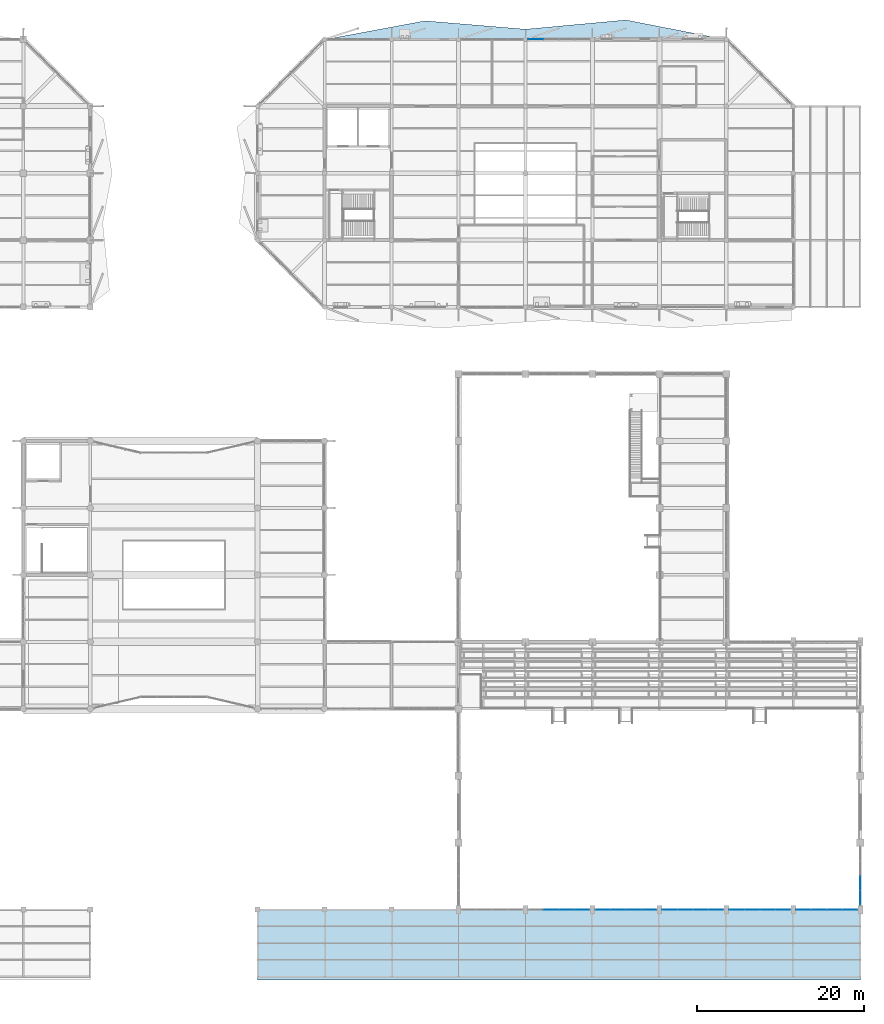
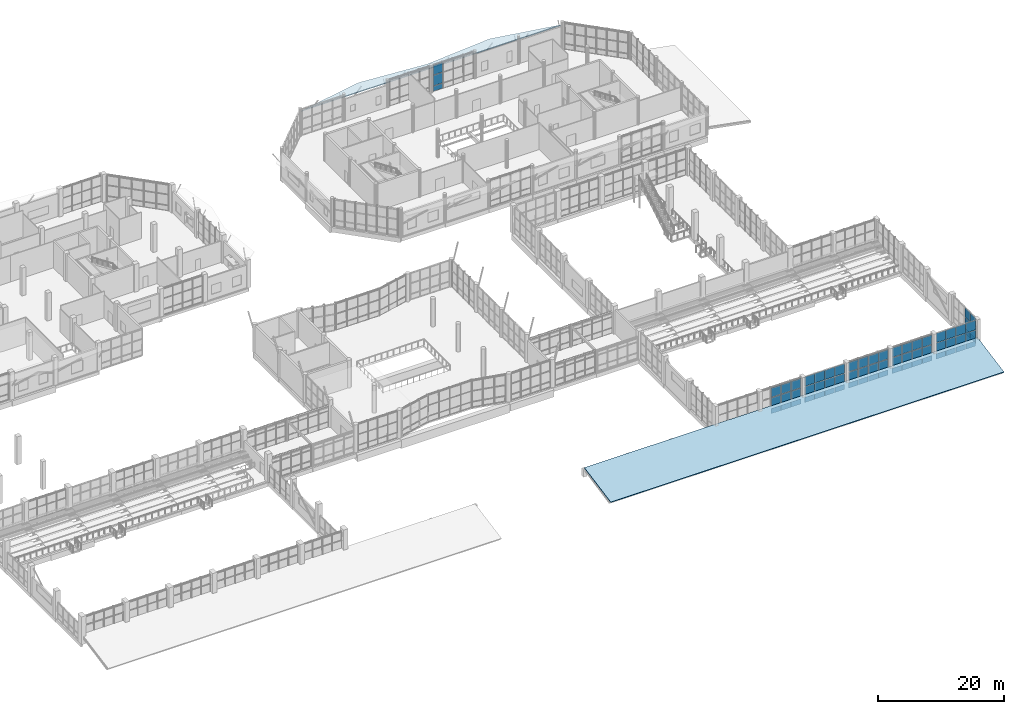
# One storey, part 92 of 122: 66 plates, 2 slabs, 7 elements without a shape of their own.
"""IFC4 building model written with IfcOpenShell, lengths in metres."""

from ifc_helpers import new_model, si_unit, direction, frame, origin, origin_2d, place, context, subcontext, project, spatial, polyline, rectangle, outline, extrude, material, layer, layer_set, type_object, element, aggregate, save


model = new_model("IFC4")

# Units and contexts
model_context = context("Model", 3, precision=1e-05, world=origin(), true_north=direction((0.0, 1.0)))
body_context = subcontext(model_context, "Body", "Model", "MODEL_VIEW")
ifc_project = project(units=[si_unit("LENGTHUNIT", "METRE"), si_unit("AREAUNIT", "SQUARE_METRE"), si_unit("VOLUMEUNIT", "CUBIC_METRE"), si_unit("PLANEANGLEUNIT", "RADIAN"), si_unit("MASSUNIT", "GRAM", prefix="KILO")], contexts=[model_context])

# Site, building, storey
site_placement = place(None, origin())
site = spatial("IfcSite", under=ifc_project, at=site_placement, CompositionType="ELEMENT")
building_placement = place(site_placement, origin())
building = spatial("IfcBuilding", under=site, at=building_placement, Name="Tenunan Teduh Sports Hall", CompositionType="ELEMENT")
storey_placement = place(building_placement, frame((0.0, 0.0, 5.39990234375)))
storey = spatial("IfcBuildingStorey", under=building, at=storey_placement, Name="L01", CompositionType="ELEMENT", Elevation=5.39990234375)

# Curtain wall, plates
ifc_material_1 = material(Name="Anodised aluminium", Category="aluminium")
curtain_wall_type = type_object("IfcCurtainWallType", Name="CW-UNIT-1", PredefinedType="NOTDEFINED", material=ifc_material_1)
curtain_wall_1_placement = place(storey_placement, origin())
curtain_wall_1 = element("IfcCurtainWall", 1, at=curtain_wall_1_placement, inside=storey, type_object=curtain_wall_type, Name="CW-CWM-200-L01-008", PredefinedType="NOTDEFINED")
ifc_material_2 = material(Name="Low-E laminated double glazing", Category="glass")
ifc_layer_1 = layer(ifc_material_2, 0.028076171875)
ifc_layer_set_1 = layer_set([ifc_layer_1], Name="Low-E laminated double glazing")
plate_type_1 = type_object("IfcPlateType", Name="CWP-GLZ-28", PredefinedType="CURTAIN_PANEL", material=ifc_layer_set_1)
plate_1_placement = place(storey_placement, frame((133.074951171875, 14.0, 1.13525390625), z_axis=(0.0, 0.0, 1.0), x_axis=(1.0, 0.0, 0.0)))
plate_1 = element("IfcPlate", 2, at=plate_1_placement, type_object=plate_type_1, Name="CW-01 panel 2.2", PredefinedType="CURTAIN_PANEL", context=body_context, shape_type="SweptSolid", body=[
    extrude(rectangle(XDim=1.780029296875, YDim=0.028076171875, at=origin_2d()), origin(), (0.0, 0.0, 1.0), 2.030029296875),
])
plate_2_placement = place(storey_placement, frame((133.074951171875, 14.0, 3.235107421875), z_axis=(0.0, 0.0, 1.0), x_axis=(1.0, 0.0, 0.0)))
plate_2 = element("IfcPlate", 3, at=plate_2_placement, type_object=plate_type_1, Name="CW-01 panel 2.3", PredefinedType="CURTAIN_PANEL", context=body_context, shape_type="SweptSolid", body=[
    extrude(rectangle(XDim=1.780029296875, YDim=0.028076171875, at=origin_2d()), origin(), (0.0, 0.0, 1.0), 1.81494140625),
])
plate_3_placement = place(storey_placement, frame((134.925048828125, 14.0, 1.13525390625), z_axis=(0.0, 0.0, 1.0), x_axis=(1.0, 0.0, 0.0)))
plate_3 = element("IfcPlate", 4, at=plate_3_placement, type_object=plate_type_1, Name="CW-01 panel 3.2", PredefinedType="CURTAIN_PANEL", context=body_context, shape_type="SweptSolid", body=[
    extrude(rectangle(XDim=1.780029296875, YDim=0.028076171875, at=origin_2d()), origin(), (0.0, 0.0, 1.0), 2.030029296875),
])
plate_4_placement = place(storey_placement, frame((134.925048828125, 14.0, 3.235107421875), z_axis=(0.0, 0.0, 1.0), x_axis=(1.0, 0.0, 0.0)))
plate_4 = element("IfcPlate", 5, at=plate_4_placement, type_object=plate_type_1, Name="CW-01 panel 3.3", PredefinedType="CURTAIN_PANEL", context=body_context, shape_type="SweptSolid", body=[
    extrude(rectangle(XDim=1.780029296875, YDim=0.028076171875, at=origin_2d()), origin(), (0.0, 0.0, 1.0), 1.81494140625),
])
plate_5_placement = place(storey_placement, frame((136.757568359375, 14.0, 1.13525390625), z_axis=(0.0, 0.0, 1.0), x_axis=(1.0, 0.0, 0.0)))
plate_5 = element("IfcPlate", 6, at=plate_5_placement, type_object=plate_type_1, Name="CW-01 panel 4.2", PredefinedType="CURTAIN_PANEL", context=body_context, shape_type="SweptSolid", body=[
    extrude(rectangle(XDim=1.7451171875, YDim=0.028076171875, at=origin_2d()), origin(), (0.0, 0.0, 1.0), 2.030029296875),
])
plate_6_placement = place(storey_placement, frame((136.757568359375, 14.0, 3.235107421875), z_axis=(0.0, 0.0, 1.0), x_axis=(1.0, 0.0, 0.0)))
plate_6 = element("IfcPlate", 7, at=plate_6_placement, type_object=plate_type_1, Name="CW-01 panel 4.3", PredefinedType="CURTAIN_PANEL", context=body_context, shape_type="SweptSolid", body=[
    extrude(rectangle(XDim=1.7451171875, YDim=0.028076171875, at=origin_2d()), origin(), (0.0, 0.0, 1.0), 1.81494140625),
])

curtain_wall_2_placement = place(storey_placement, origin())
curtain_wall_2 = element("IfcCurtainWall", 8, at=curtain_wall_2_placement, inside=storey, type_object=curtain_wall_type, Name="CW-CWM-175-L01-010", PredefinedType="NOTDEFINED")
plate_7_placement = place(storey_placement, frame((147.2412109375, 14.0, 1.1328125), z_axis=(0.0, 0.0, 1.0), x_axis=(1.0, 0.0, 0.0)))
plate_7 = element("IfcPlate", 9, at=plate_7_placement, type_object=plate_type_1, Name="CW-01 panel 1.2", PredefinedType="CURTAIN_PANEL", context=body_context, shape_type="SweptSolid", body=[
    extrude(rectangle(XDim=1.75244140625, YDim=0.028076171875, at=origin_2d()), origin(), (0.0, 0.0, 1.0), 2.034912109375),
])
plate_8_placement = place(storey_placement, frame((147.2412109375, 14.0, 3.232421875), z_axis=(0.0, 0.0, 1.0), x_axis=(1.0, 0.0, 0.0)))
plate_8 = element("IfcPlate", 10, at=plate_8_placement, type_object=plate_type_1, Name="CW-01 panel 1.3", PredefinedType="CURTAIN_PANEL", context=body_context, shape_type="SweptSolid", body=[
    extrude(rectangle(XDim=1.75244140625, YDim=0.028076171875, at=origin_2d()), origin(), (0.0, 0.0, 1.0), 1.822509765625),
])
plate_9_placement = place(storey_placement, frame((149.074951171875, 14.0, 1.1328125), z_axis=(0.0, 0.0, 1.0), x_axis=(1.0, 0.0, 0.0)))
plate_9 = element("IfcPlate", 11, at=plate_9_placement, type_object=plate_type_1, Name="CW-01 panel 2.2", PredefinedType="CURTAIN_PANEL", context=body_context, shape_type="SweptSolid", body=[
    extrude(rectangle(XDim=1.784912109375, YDim=0.028076171875, at=origin_2d()), origin(), (0.0, 0.0, 1.0), 2.034912109375),
])
plate_10_placement = place(storey_placement, frame((149.074951171875, 14.0, 3.232421875), z_axis=(0.0, 0.0, 1.0), x_axis=(1.0, 0.0, 0.0)))
plate_10 = element("IfcPlate", 12, at=plate_10_placement, type_object=plate_type_1, Name="CW-01 panel 2.3", PredefinedType="CURTAIN_PANEL", context=body_context, shape_type="SweptSolid", body=[
    extrude(rectangle(XDim=1.784912109375, YDim=0.028076171875, at=origin_2d()), origin(), (0.0, 0.0, 1.0), 1.822509765625),
])
plate_11_placement = place(storey_placement, frame((150.925048828125, 14.0, 1.1328125), z_axis=(0.0, 0.0, 1.0), x_axis=(1.0, 0.0, 0.0)))
plate_11 = element("IfcPlate", 13, at=plate_11_placement, type_object=plate_type_1, Name="CW-01 panel 3.2", PredefinedType="CURTAIN_PANEL", context=body_context, shape_type="SweptSolid", body=[
    extrude(rectangle(XDim=1.784912109375, YDim=0.028076171875, at=origin_2d()), origin(), (0.0, 0.0, 1.0), 2.034912109375),
])
plate_12_placement = place(storey_placement, frame((150.925048828125, 14.0, 3.232421875), z_axis=(0.0, 0.0, 1.0), x_axis=(1.0, 0.0, 0.0)))
plate_12 = element("IfcPlate", 14, at=plate_12_placement, type_object=plate_type_1, Name="CW-01 panel 3.3", PredefinedType="CURTAIN_PANEL", context=body_context, shape_type="SweptSolid", body=[
    extrude(rectangle(XDim=1.784912109375, YDim=0.028076171875, at=origin_2d()), origin(), (0.0, 0.0, 1.0), 1.822509765625),
])
plate_13_placement = place(storey_placement, frame((152.7587890625, 14.0, 1.1328125), z_axis=(0.0, 0.0, 1.0), x_axis=(1.0, 0.0, 0.0)))
plate_13 = element("IfcPlate", 15, at=plate_13_placement, type_object=plate_type_1, Name="CW-01 panel 4.2", PredefinedType="CURTAIN_PANEL", context=body_context, shape_type="SweptSolid", body=[
    extrude(rectangle(XDim=1.75244140625, YDim=0.028076171875, at=origin_2d()), origin(), (0.0, 0.0, 1.0), 2.034912109375),
])
plate_14_placement = place(storey_placement, frame((152.7587890625, 14.0, 3.232421875), z_axis=(0.0, 0.0, 1.0), x_axis=(1.0, 0.0, 0.0)))
plate_14 = element("IfcPlate", 16, at=plate_14_placement, type_object=plate_type_1, Name="CW-01 panel 4.3", PredefinedType="CURTAIN_PANEL", context=body_context, shape_type="SweptSolid", body=[
    extrude(rectangle(XDim=1.75244140625, YDim=0.028076171875, at=origin_2d()), origin(), (0.0, 0.0, 1.0), 1.822509765625),
])

curtain_wall_3_placement = place(storey_placement, origin())
curtain_wall_3 = element("IfcCurtainWall", 17, at=curtain_wall_3_placement, inside=storey, type_object=curtain_wall_type, Name="CW-CWM-200-L01-016", PredefinedType="NOTDEFINED")
plate_15_placement = place(storey_placement, frame((170.0, 15.40185546875, 1.13525390625), z_axis=(0.0, 0.0, 1.0), x_axis=(0.0, 1.0, 0.0)))
plate_15 = element("IfcPlate", 18, at=plate_15_placement, type_object=plate_type_1, Name="CW-01 panel 1.2", PredefinedType="CURTAIN_PANEL", context=body_context, shape_type="SweptSolid", body=[
    extrude(rectangle(XDim=1.663818359375, YDim=0.028076171875, at=origin_2d()), origin(), (0.0, 0.0, 1.0), 2.030029296875),
])
plate_16_placement = place(storey_placement, frame((170.0, 15.40185546875, 3.235107421875), z_axis=(0.0, 0.0, 1.0), x_axis=(0.0, 1.0, 0.0)))
plate_16 = element("IfcPlate", 19, at=plate_16_placement, type_object=plate_type_1, Name="CW-01 panel 1.3", PredefinedType="CURTAIN_PANEL", context=body_context, shape_type="SweptSolid", body=[
    extrude(rectangle(XDim=1.663818359375, YDim=0.028076171875, at=origin_2d()), origin(), (0.0, 0.0, 1.0), 1.81494140625),
])
plate_17_placement = place(storey_placement, frame((170.0, 17.153076171875, 1.13525390625), z_axis=(0.0, 0.0, 1.0), x_axis=(0.0, 1.0, 0.0)))
plate_17 = element("IfcPlate", 20, at=plate_17_placement, type_object=plate_type_1, Name="CW-01 panel 2.2", PredefinedType="CURTAIN_PANEL", context=body_context, shape_type="SweptSolid", body=[
    extrude(rectangle(XDim=1.69873046875, YDim=0.028076171875, at=origin_2d()), origin(), (0.0, 0.0, 1.0), 2.030029296875),
])
plate_18_placement = place(storey_placement, frame((170.0, 17.153076171875, 3.235107421875), z_axis=(0.0, 0.0, 1.0), x_axis=(0.0, 1.0, 0.0)))
plate_18 = element("IfcPlate", 21, at=plate_18_placement, type_object=plate_type_1, Name="CW-01 panel 2.3", PredefinedType="CURTAIN_PANEL", context=body_context, shape_type="SweptSolid", body=[
    extrude(rectangle(XDim=1.69873046875, YDim=0.028076171875, at=origin_2d()), origin(), (0.0, 0.0, 1.0), 1.81494140625),
])

curtain_wall_4_placement = place(storey_placement, origin())
curtain_wall_4 = element("IfcCurtainWall", 22, at=curtain_wall_4_placement, inside=storey, type_object=curtain_wall_type, Name="CW-CWM-220-L01-009", PredefinedType="NOTDEFINED")
ifc_material_3 = material(Name="Solar-control laminated glazing", Category="glass")
ifc_layer_2 = layer(ifc_material_3, 0.031982421875)
ifc_layer_set_2 = layer_set([ifc_layer_2], Name="Solar-control laminated glazing")
plate_type_2 = type_object("IfcPlateType", Name="CWP-GLZ-32", PredefinedType="CURTAIN_PANEL", material=ifc_layer_set_2)
plate_19_placement = place(storey_placement, frame((139.24365234375, 14.0, 1.1376953125), z_axis=(0.0, 0.0, 1.0), x_axis=(1.0, 0.0, 0.0)))
plate_19 = element("IfcPlate", 23, at=plate_19_placement, type_object=plate_type_2, Name="CW-01 panel 1.2", PredefinedType="CURTAIN_PANEL", context=body_context, shape_type="SweptSolid", body=[
    extrude(rectangle(XDim=1.737548828125, YDim=0.031982421875, at=origin_2d()), origin(), (0.0, 0.0, 1.0), 2.02490234375),
])
plate_20_placement = place(storey_placement, frame((139.24365234375, 14.0, 3.237548828125), z_axis=(0.0, 0.0, 1.0), x_axis=(1.0, 0.0, 0.0)))
plate_20 = element("IfcPlate", 24, at=plate_20_placement, type_object=plate_type_2, Name="CW-01 panel 1.3", PredefinedType="CURTAIN_PANEL", context=body_context, shape_type="SweptSolid", body=[
    extrude(rectangle(XDim=1.737548828125, YDim=0.031982421875, at=origin_2d()), origin(), (0.0, 0.0, 1.0), 1.8076171875),
])
plate_21_placement = place(storey_placement, frame((141.074951171875, 14.0, 1.1376953125), z_axis=(0.0, 0.0, 1.0), x_axis=(1.0, 0.0, 0.0)))
plate_21 = element("IfcPlate", 25, at=plate_21_placement, type_object=plate_type_2, Name="CW-01 panel 2.2", PredefinedType="CURTAIN_PANEL", context=body_context, shape_type="SweptSolid", body=[
    extrude(rectangle(XDim=1.77490234375, YDim=0.031982421875, at=origin_2d()), origin(), (0.0, 0.0, 1.0), 2.02490234375),
])
plate_22_placement = place(storey_placement, frame((141.074951171875, 14.0, 3.237548828125), z_axis=(0.0, 0.0, 1.0), x_axis=(1.0, 0.0, 0.0)))
plate_22 = element("IfcPlate", 26, at=plate_22_placement, type_object=plate_type_2, Name="CW-01 panel 2.3", PredefinedType="CURTAIN_PANEL", context=body_context, shape_type="SweptSolid", body=[
    extrude(rectangle(XDim=1.77490234375, YDim=0.031982421875, at=origin_2d()), origin(), (0.0, 0.0, 1.0), 1.8076171875),
])
plate_23_placement = place(storey_placement, frame((142.925048828125, 14.0, 1.1376953125), z_axis=(0.0, 0.0, 1.0), x_axis=(1.0, 0.0, 0.0)))
plate_23 = element("IfcPlate", 27, at=plate_23_placement, type_object=plate_type_2, Name="CW-01 panel 3.2", PredefinedType="CURTAIN_PANEL", context=body_context, shape_type="SweptSolid", body=[
    extrude(rectangle(XDim=1.77490234375, YDim=0.031982421875, at=origin_2d()), origin(), (0.0, 0.0, 1.0), 2.02490234375),
])
plate_24_placement = place(storey_placement, frame((142.925048828125, 14.0, 3.237548828125), z_axis=(0.0, 0.0, 1.0), x_axis=(1.0, 0.0, 0.0)))
plate_24 = element("IfcPlate", 28, at=plate_24_placement, type_object=plate_type_2, Name="CW-01 panel 3.3", PredefinedType="CURTAIN_PANEL", context=body_context, shape_type="SweptSolid", body=[
    extrude(rectangle(XDim=1.77490234375, YDim=0.031982421875, at=origin_2d()), origin(), (0.0, 0.0, 1.0), 1.8076171875),
])
plate_25_placement = place(storey_placement, frame((144.75634765625, 14.0, 1.1376953125), z_axis=(0.0, 0.0, 1.0), x_axis=(1.0, 0.0, 0.0)))
plate_25 = element("IfcPlate", 29, at=plate_25_placement, type_object=plate_type_2, Name="CW-01 panel 4.2", PredefinedType="CURTAIN_PANEL", context=body_context, shape_type="SweptSolid", body=[
    extrude(rectangle(XDim=1.737548828125, YDim=0.031982421875, at=origin_2d()), origin(), (0.0, 0.0, 1.0), 2.02490234375),
])
plate_26_placement = place(storey_placement, frame((144.75634765625, 14.0, 3.237548828125), z_axis=(0.0, 0.0, 1.0), x_axis=(1.0, 0.0, 0.0)))
plate_26 = element("IfcPlate", 30, at=plate_26_placement, type_object=plate_type_2, Name="CW-01 panel 4.3", PredefinedType="CURTAIN_PANEL", context=body_context, shape_type="SweptSolid", body=[
    extrude(rectangle(XDim=1.737548828125, YDim=0.031982421875, at=origin_2d()), origin(), (0.0, 0.0, 1.0), 1.8076171875),
])

curtain_wall_5_placement = place(storey_placement, origin())
curtain_wall_5 = element("IfcCurtainWall", 31, at=curtain_wall_5_placement, inside=storey, type_object=curtain_wall_type, Name="CW-CWM-150-L01-011", PredefinedType="NOTDEFINED")
plate_27_placement = place(storey_placement, frame((155.239990234375, 14.0, 1.130126953125), z_axis=(0.0, 0.0, 1.0), x_axis=(1.0, 0.0, 0.0)))
plate_27 = element("IfcPlate", 32, at=plate_27_placement, type_object=plate_type_2, Name="CW-01 panel 1.2", PredefinedType="CURTAIN_PANEL", context=body_context, shape_type="SweptSolid", body=[
    extrude(rectangle(XDim=1.760009765625, YDim=0.031982421875, at=origin_2d()), origin(), (0.0, 0.0, 1.0), 2.0400390625),
])
plate_28_placement = place(storey_placement, frame((155.239990234375, 14.0, 3.22998046875), z_axis=(0.0, 0.0, 1.0), x_axis=(1.0, 0.0, 0.0)))
plate_28 = element("IfcPlate", 33, at=plate_28_placement, type_object=plate_type_2, Name="CW-01 panel 1.3", PredefinedType="CURTAIN_PANEL", context=body_context, shape_type="SweptSolid", body=[
    extrude(rectangle(XDim=1.760009765625, YDim=0.031982421875, at=origin_2d()), origin(), (0.0, 0.0, 1.0), 1.830078125),
])
plate_29_placement = place(storey_placement, frame((157.074951171875, 14.0, 1.130126953125), z_axis=(0.0, 0.0, 1.0), x_axis=(1.0, 0.0, 0.0)))
plate_29 = element("IfcPlate", 34, at=plate_29_placement, type_object=plate_type_2, Name="CW-01 panel 2.2", PredefinedType="CURTAIN_PANEL", context=body_context, shape_type="SweptSolid", body=[
    extrude(rectangle(XDim=1.7900390625, YDim=0.031982421875, at=origin_2d()), origin(), (0.0, 0.0, 1.0), 2.0400390625),
])
plate_30_placement = place(storey_placement, frame((157.074951171875, 14.0, 3.22998046875), z_axis=(0.0, 0.0, 1.0), x_axis=(1.0, 0.0, 0.0)))
plate_30 = element("IfcPlate", 35, at=plate_30_placement, type_object=plate_type_2, Name="CW-01 panel 2.3", PredefinedType="CURTAIN_PANEL", context=body_context, shape_type="SweptSolid", body=[
    extrude(rectangle(XDim=1.7900390625, YDim=0.031982421875, at=origin_2d()), origin(), (0.0, 0.0, 1.0), 1.830078125),
])
plate_31_placement = place(storey_placement, frame((158.925048828125, 14.0, 1.130126953125), z_axis=(0.0, 0.0, 1.0), x_axis=(1.0, 0.0, 0.0)))
plate_31 = element("IfcPlate", 36, at=plate_31_placement, type_object=plate_type_2, Name="CW-01 panel 3.2", PredefinedType="CURTAIN_PANEL", context=body_context, shape_type="SweptSolid", body=[
    extrude(rectangle(XDim=1.7900390625, YDim=0.031982421875, at=origin_2d()), origin(), (0.0, 0.0, 1.0), 2.0400390625),
])
plate_32_placement = place(storey_placement, frame((158.925048828125, 14.0, 3.22998046875), z_axis=(0.0, 0.0, 1.0), x_axis=(1.0, 0.0, 0.0)))
plate_32 = element("IfcPlate", 37, at=plate_32_placement, type_object=plate_type_2, Name="CW-01 panel 3.3", PredefinedType="CURTAIN_PANEL", context=body_context, shape_type="SweptSolid", body=[
    extrude(rectangle(XDim=1.7900390625, YDim=0.031982421875, at=origin_2d()), origin(), (0.0, 0.0, 1.0), 1.830078125),
])
plate_33_placement = place(storey_placement, frame((160.760009765625, 14.0, 1.130126953125), z_axis=(0.0, 0.0, 1.0), x_axis=(1.0, 0.0, 0.0)))
plate_33 = element("IfcPlate", 38, at=plate_33_placement, type_object=plate_type_2, Name="CW-01 panel 4.2", PredefinedType="CURTAIN_PANEL", context=body_context, shape_type="SweptSolid", body=[
    extrude(rectangle(XDim=1.760009765625, YDim=0.031982421875, at=origin_2d()), origin(), (0.0, 0.0, 1.0), 2.0400390625),
])
plate_34_placement = place(storey_placement, frame((160.760009765625, 14.0, 3.22998046875), z_axis=(0.0, 0.0, 1.0), x_axis=(1.0, 0.0, 0.0)))
plate_34 = element("IfcPlate", 39, at=plate_34_placement, type_object=plate_type_2, Name="CW-01 panel 4.3", PredefinedType="CURTAIN_PANEL", context=body_context, shape_type="SweptSolid", body=[
    extrude(rectangle(XDim=1.760009765625, YDim=0.031982421875, at=origin_2d()), origin(), (0.0, 0.0, 1.0), 1.830078125),
])

curtain_wall_6_placement = place(storey_placement, origin())
curtain_wall_6 = element("IfcCurtainWall", 40, at=curtain_wall_6_placement, inside=storey, type_object=curtain_wall_type, Name="CW-CWM-220-L01-013", PredefinedType="NOTDEFINED")
plate_35_placement = place(storey_placement, frame((163.24365234375, 14.0, 1.1376953125), z_axis=(0.0, 0.0, 1.0), x_axis=(1.0, 0.0, 0.0)))
plate_35 = element("IfcPlate", 41, at=plate_35_placement, type_object=plate_type_2, Name="CW-01 panel 1.2", PredefinedType="CURTAIN_PANEL", context=body_context, shape_type="SweptSolid", body=[
    extrude(rectangle(XDim=1.737548828125, YDim=0.031982421875, at=origin_2d()), origin(), (0.0, 0.0, 1.0), 2.02490234375),
])
plate_36_placement = place(storey_placement, frame((163.24365234375, 14.0, 3.237548828125), z_axis=(0.0, 0.0, 1.0), x_axis=(1.0, 0.0, 0.0)))
plate_36 = element("IfcPlate", 42, at=plate_36_placement, type_object=plate_type_2, Name="CW-01 panel 1.3", PredefinedType="CURTAIN_PANEL", context=body_context, shape_type="SweptSolid", body=[
    extrude(rectangle(XDim=1.737548828125, YDim=0.031982421875, at=origin_2d()), origin(), (0.0, 0.0, 1.0), 1.8076171875),
])
plate_37_placement = place(storey_placement, frame((165.074951171875, 14.0, 1.1376953125), z_axis=(0.0, 0.0, 1.0), x_axis=(1.0, 0.0, 0.0)))
plate_37 = element("IfcPlate", 43, at=plate_37_placement, type_object=plate_type_2, Name="CW-01 panel 2.2", PredefinedType="CURTAIN_PANEL", context=body_context, shape_type="SweptSolid", body=[
    extrude(rectangle(XDim=1.77490234375, YDim=0.031982421875, at=origin_2d()), origin(), (0.0, 0.0, 1.0), 2.02490234375),
])
plate_38_placement = place(storey_placement, frame((165.074951171875, 14.0, 3.237548828125), z_axis=(0.0, 0.0, 1.0), x_axis=(1.0, 0.0, 0.0)))
plate_38 = element("IfcPlate", 44, at=plate_38_placement, type_object=plate_type_2, Name="CW-01 panel 2.3", PredefinedType="CURTAIN_PANEL", context=body_context, shape_type="SweptSolid", body=[
    extrude(rectangle(XDim=1.77490234375, YDim=0.031982421875, at=origin_2d()), origin(), (0.0, 0.0, 1.0), 1.8076171875),
])
plate_39_placement = place(storey_placement, frame((166.925048828125, 14.0, 1.1376953125), z_axis=(0.0, 0.0, 1.0), x_axis=(1.0, 0.0, 0.0)))
plate_39 = element("IfcPlate", 45, at=plate_39_placement, type_object=plate_type_2, Name="CW-01 panel 3.2", PredefinedType="CURTAIN_PANEL", context=body_context, shape_type="SweptSolid", body=[
    extrude(rectangle(XDim=1.77490234375, YDim=0.031982421875, at=origin_2d()), origin(), (0.0, 0.0, 1.0), 2.02490234375),
])
plate_40_placement = place(storey_placement, frame((166.925048828125, 14.0, 3.237548828125), z_axis=(0.0, 0.0, 1.0), x_axis=(1.0, 0.0, 0.0)))
plate_40 = element("IfcPlate", 46, at=plate_40_placement, type_object=plate_type_2, Name="CW-01 panel 3.3", PredefinedType="CURTAIN_PANEL", context=body_context, shape_type="SweptSolid", body=[
    extrude(rectangle(XDim=1.77490234375, YDim=0.031982421875, at=origin_2d()), origin(), (0.0, 0.0, 1.0), 1.8076171875),
])
plate_41_placement = place(storey_placement, frame((168.75634765625, 14.0, 1.1376953125), z_axis=(0.0, 0.0, 1.0), x_axis=(1.0, 0.0, 0.0)))
plate_41 = element("IfcPlate", 47, at=plate_41_placement, type_object=plate_type_2, Name="CW-01 panel 4.2", PredefinedType="CURTAIN_PANEL", context=body_context, shape_type="SweptSolid", body=[
    extrude(rectangle(XDim=1.737548828125, YDim=0.031982421875, at=origin_2d()), origin(), (0.0, 0.0, 1.0), 2.02490234375),
])
plate_42_placement = place(storey_placement, frame((168.75634765625, 14.0, 3.237548828125), z_axis=(0.0, 0.0, 1.0), x_axis=(1.0, 0.0, 0.0)))
plate_42 = element("IfcPlate", 48, at=plate_42_placement, type_object=plate_type_2, Name="CW-01 panel 4.3", PredefinedType="CURTAIN_PANEL", context=body_context, shape_type="SweptSolid", body=[
    extrude(rectangle(XDim=1.737548828125, YDim=0.031982421875, at=origin_2d()), origin(), (0.0, 0.0, 1.0), 1.8076171875),
])

curtain_wall_7_placement = place(storey_placement, origin())
curtain_wall_7 = element("IfcCurtainWall", 49, at=curtain_wall_7_placement, inside=storey, type_object=curtain_wall_type, Name="CW-CWM-150-L01-251", PredefinedType="NOTDEFINED")
plate_43_placement = place(storey_placement, frame((131.22119140625, 118.0, 1.130126953125), z_axis=(0.0, 0.0, 1.0), x_axis=(1.0, 0.0, 0.0)))
plate_43 = element("IfcPlate", 50, at=plate_43_placement, type_object=plate_type_2, Name="CW-01 panel 1.2", PredefinedType="CURTAIN_PANEL", context=body_context, shape_type="SweptSolid", body=[
    extrude(rectangle(XDim=1.7724609375, YDim=0.031982421875, at=origin_2d()), origin(), (0.0, 0.0, 1.0), 2.0400390625),
])
plate_44_placement = place(storey_placement, frame((131.22119140625, 118.0, 3.22998046875), z_axis=(0.0, 0.0, 1.0), x_axis=(1.0, 0.0, 0.0)))
plate_44 = element("IfcPlate", 51, at=plate_44_placement, type_object=plate_type_2, Name="CW-01 panel 1.3", PredefinedType="CURTAIN_PANEL", context=body_context, shape_type="SweptSolid", body=[
    extrude(rectangle(XDim=1.7724609375, YDim=0.031982421875, at=origin_2d()), origin(), (0.0, 0.0, 1.0), 1.830078125),
])

# Plate
ifc_material_4 = material(Name="Insulated aluminium spandrel panel", Category="aluminium")
ifc_layer_3 = layer(ifc_material_4, 0.044921875)
ifc_layer_set_3 = layer_set([ifc_layer_3], Name="Insulated aluminium spandrel panel")
plate_type_3 = type_object("IfcPlateType", Name="CWP-SPN-45", PredefinedType="CURTAIN_PANEL", material=ifc_layer_set_3)
plate_45_placement = place(storey_placement, frame((133.074951171875, 14.0, 0.070068359375), z_axis=(0.0, 0.0, 1.0), x_axis=(1.0, 0.0, 0.0)))
plate_45 = element("IfcPlate", 52, at=plate_45_placement, type_object=plate_type_3, Name="CW-01 panel 2.1", PredefinedType="CURTAIN_PANEL", context=body_context, shape_type="SweptSolid", body=[
    extrude(rectangle(XDim=1.780029296875, YDim=0.028076171875, at=origin_2d()), origin(), (0.0, 0.0, 1.0), 0.9951171875),
])

plate_46_placement = place(storey_placement, frame((134.925048828125, 14.0, 0.070068359375), z_axis=(0.0, 0.0, 1.0), x_axis=(1.0, 0.0, 0.0)))
plate_46 = element("IfcPlate", 53, at=plate_46_placement, type_object=plate_type_3, Name="CW-01 panel 3.1", PredefinedType="CURTAIN_PANEL", context=body_context, shape_type="SweptSolid", body=[
    extrude(rectangle(XDim=1.780029296875, YDim=0.028076171875, at=origin_2d()), origin(), (0.0, 0.0, 1.0), 0.9951171875),
])

plate_47_placement = place(storey_placement, frame((136.757568359375, 14.0, 0.070068359375), z_axis=(0.0, 0.0, 1.0), x_axis=(1.0, 0.0, 0.0)))
plate_47 = element("IfcPlate", 54, at=plate_47_placement, type_object=plate_type_3, Name="CW-01 panel 4.1", PredefinedType="CURTAIN_PANEL", context=body_context, shape_type="SweptSolid", body=[
    extrude(rectangle(XDim=1.7451171875, YDim=0.028076171875, at=origin_2d()), origin(), (0.0, 0.0, 1.0), 0.9951171875),
])

aggregate(curtain_wall_1, [plate_45, plate_1, plate_2, plate_46, plate_3, plate_4, plate_47, plate_5, plate_6])

plate_48_placement = place(storey_placement, frame((139.24365234375, 14.0, 0.0751953125), z_axis=(0.0, 0.0, 1.0), x_axis=(1.0, 0.0, 0.0)))
plate_48 = element("IfcPlate", 55, at=plate_48_placement, type_object=plate_type_3, Name="CW-01 panel 1.1", PredefinedType="CURTAIN_PANEL", context=body_context, shape_type="SweptSolid", body=[
    extrude(rectangle(XDim=1.737548828125, YDim=0.031982421875, at=origin_2d()), origin(), (0.0, 0.0, 1.0), 0.987548828125),
])

plate_49_placement = place(storey_placement, frame((141.074951171875, 14.0, 0.0751953125), z_axis=(0.0, 0.0, 1.0), x_axis=(1.0, 0.0, 0.0)))
plate_49 = element("IfcPlate", 56, at=plate_49_placement, type_object=plate_type_3, Name="CW-01 panel 2.1", PredefinedType="CURTAIN_PANEL", context=body_context, shape_type="SweptSolid", body=[
    extrude(rectangle(XDim=1.77490234375, YDim=0.031982421875, at=origin_2d()), origin(), (0.0, 0.0, 1.0), 0.987548828125),
])

plate_50_placement = place(storey_placement, frame((142.925048828125, 14.0, 0.0751953125), z_axis=(0.0, 0.0, 1.0), x_axis=(1.0, 0.0, 0.0)))
plate_50 = element("IfcPlate", 57, at=plate_50_placement, type_object=plate_type_3, Name="CW-01 panel 3.1", PredefinedType="CURTAIN_PANEL", context=body_context, shape_type="SweptSolid", body=[
    extrude(rectangle(XDim=1.77490234375, YDim=0.031982421875, at=origin_2d()), origin(), (0.0, 0.0, 1.0), 0.987548828125),
])

plate_51_placement = place(storey_placement, frame((144.75634765625, 14.0, 0.0751953125), z_axis=(0.0, 0.0, 1.0), x_axis=(1.0, 0.0, 0.0)))
plate_51 = element("IfcPlate", 58, at=plate_51_placement, type_object=plate_type_3, Name="CW-01 panel 4.1", PredefinedType="CURTAIN_PANEL", context=body_context, shape_type="SweptSolid", body=[
    extrude(rectangle(XDim=1.737548828125, YDim=0.031982421875, at=origin_2d()), origin(), (0.0, 0.0, 1.0), 0.987548828125),
])

aggregate(curtain_wall_4, [plate_48, plate_19, plate_20, plate_49, plate_21, plate_22, plate_50, plate_23, plate_24, plate_51, plate_25, plate_26])

plate_52_placement = place(storey_placement, frame((147.2412109375, 14.0, 0.065185546875), z_axis=(0.0, 0.0, 1.0), x_axis=(1.0, 0.0, 0.0)))
plate_52 = element("IfcPlate", 59, at=plate_52_placement, type_object=plate_type_3, Name="CW-01 panel 1.1", PredefinedType="CURTAIN_PANEL", context=body_context, shape_type="SweptSolid", body=[
    extrude(rectangle(XDim=1.75244140625, YDim=0.028076171875, at=origin_2d()), origin(), (0.0, 0.0, 1.0), 1.00244140625),
])

plate_53_placement = place(storey_placement, frame((149.074951171875, 14.0, 0.065185546875), z_axis=(0.0, 0.0, 1.0), x_axis=(1.0, 0.0, 0.0)))
plate_53 = element("IfcPlate", 60, at=plate_53_placement, type_object=plate_type_3, Name="CW-01 panel 2.1", PredefinedType="CURTAIN_PANEL", context=body_context, shape_type="SweptSolid", body=[
    extrude(rectangle(XDim=1.784912109375, YDim=0.028076171875, at=origin_2d()), origin(), (0.0, 0.0, 1.0), 1.00244140625),
])

plate_54_placement = place(storey_placement, frame((150.925048828125, 14.0, 0.065185546875), z_axis=(0.0, 0.0, 1.0), x_axis=(1.0, 0.0, 0.0)))
plate_54 = element("IfcPlate", 61, at=plate_54_placement, type_object=plate_type_3, Name="CW-01 panel 3.1", PredefinedType="CURTAIN_PANEL", context=body_context, shape_type="SweptSolid", body=[
    extrude(rectangle(XDim=1.784912109375, YDim=0.028076171875, at=origin_2d()), origin(), (0.0, 0.0, 1.0), 1.00244140625),
])

plate_55_placement = place(storey_placement, frame((152.7587890625, 14.0, 0.065185546875), z_axis=(0.0, 0.0, 1.0), x_axis=(1.0, 0.0, 0.0)))
plate_55 = element("IfcPlate", 62, at=plate_55_placement, type_object=plate_type_3, Name="CW-01 panel 4.1", PredefinedType="CURTAIN_PANEL", context=body_context, shape_type="SweptSolid", body=[
    extrude(rectangle(XDim=1.75244140625, YDim=0.028076171875, at=origin_2d()), origin(), (0.0, 0.0, 1.0), 1.00244140625),
])

aggregate(curtain_wall_2, [plate_52, plate_7, plate_8, plate_53, plate_9, plate_10, plate_54, plate_11, plate_12, plate_55, plate_13, plate_14])

plate_56_placement = place(storey_placement, frame((155.239990234375, 14.0, 0.06005859375), z_axis=(0.0, 0.0, 1.0), x_axis=(1.0, 0.0, 0.0)))
plate_56 = element("IfcPlate", 63, at=plate_56_placement, type_object=plate_type_3, Name="CW-01 panel 1.1", PredefinedType="CURTAIN_PANEL", context=body_context, shape_type="SweptSolid", body=[
    extrude(rectangle(XDim=1.760009765625, YDim=0.031982421875, at=origin_2d()), origin(), (0.0, 0.0, 1.0), 1.010009765625),
])

plate_57_placement = place(storey_placement, frame((157.074951171875, 14.0, 0.06005859375), z_axis=(0.0, 0.0, 1.0), x_axis=(1.0, 0.0, 0.0)))
plate_57 = element("IfcPlate", 64, at=plate_57_placement, type_object=plate_type_3, Name="CW-01 panel 2.1", PredefinedType="CURTAIN_PANEL", context=body_context, shape_type="SweptSolid", body=[
    extrude(rectangle(XDim=1.7900390625, YDim=0.031982421875, at=origin_2d()), origin(), (0.0, 0.0, 1.0), 1.010009765625),
])

plate_58_placement = place(storey_placement, frame((158.925048828125, 14.0, 0.06005859375), z_axis=(0.0, 0.0, 1.0), x_axis=(1.0, 0.0, 0.0)))
plate_58 = element("IfcPlate", 65, at=plate_58_placement, type_object=plate_type_3, Name="CW-01 panel 3.1", PredefinedType="CURTAIN_PANEL", context=body_context, shape_type="SweptSolid", body=[
    extrude(rectangle(XDim=1.7900390625, YDim=0.031982421875, at=origin_2d()), origin(), (0.0, 0.0, 1.0), 1.010009765625),
])

plate_59_placement = place(storey_placement, frame((160.760009765625, 14.0, 0.06005859375), z_axis=(0.0, 0.0, 1.0), x_axis=(1.0, 0.0, 0.0)))
plate_59 = element("IfcPlate", 66, at=plate_59_placement, type_object=plate_type_3, Name="CW-01 panel 4.1", PredefinedType="CURTAIN_PANEL", context=body_context, shape_type="SweptSolid", body=[
    extrude(rectangle(XDim=1.760009765625, YDim=0.031982421875, at=origin_2d()), origin(), (0.0, 0.0, 1.0), 1.010009765625),
])

aggregate(curtain_wall_5, [plate_56, plate_27, plate_28, plate_57, plate_29, plate_30, plate_58, plate_31, plate_32, plate_59, plate_33, plate_34])

plate_60_placement = place(storey_placement, frame((163.24365234375, 14.0, 0.0751953125), z_axis=(0.0, 0.0, 1.0), x_axis=(1.0, 0.0, 0.0)))
plate_60 = element("IfcPlate", 67, at=plate_60_placement, type_object=plate_type_3, Name="CW-01 panel 1.1", PredefinedType="CURTAIN_PANEL", context=body_context, shape_type="SweptSolid", body=[
    extrude(rectangle(XDim=1.737548828125, YDim=0.031982421875, at=origin_2d()), origin(), (0.0, 0.0, 1.0), 0.987548828125),
])

plate_61_placement = place(storey_placement, frame((165.074951171875, 14.0, 0.0751953125), z_axis=(0.0, 0.0, 1.0), x_axis=(1.0, 0.0, 0.0)))
plate_61 = element("IfcPlate", 68, at=plate_61_placement, type_object=plate_type_3, Name="CW-01 panel 2.1", PredefinedType="CURTAIN_PANEL", context=body_context, shape_type="SweptSolid", body=[
    extrude(rectangle(XDim=1.77490234375, YDim=0.031982421875, at=origin_2d()), origin(), (0.0, 0.0, 1.0), 0.987548828125),
])

plate_62_placement = place(storey_placement, frame((166.925048828125, 14.0, 0.0751953125), z_axis=(0.0, 0.0, 1.0), x_axis=(1.0, 0.0, 0.0)))
plate_62 = element("IfcPlate", 69, at=plate_62_placement, type_object=plate_type_3, Name="CW-01 panel 3.1", PredefinedType="CURTAIN_PANEL", context=body_context, shape_type="SweptSolid", body=[
    extrude(rectangle(XDim=1.77490234375, YDim=0.031982421875, at=origin_2d()), origin(), (0.0, 0.0, 1.0), 0.987548828125),
])

plate_63_placement = place(storey_placement, frame((168.75634765625, 14.0, 0.0751953125), z_axis=(0.0, 0.0, 1.0), x_axis=(1.0, 0.0, 0.0)))
plate_63 = element("IfcPlate", 70, at=plate_63_placement, type_object=plate_type_3, Name="CW-01 panel 4.1", PredefinedType="CURTAIN_PANEL", context=body_context, shape_type="SweptSolid", body=[
    extrude(rectangle(XDim=1.737548828125, YDim=0.031982421875, at=origin_2d()), origin(), (0.0, 0.0, 1.0), 0.987548828125),
])

aggregate(curtain_wall_6, [plate_60, plate_35, plate_36, plate_61, plate_37, plate_38, plate_62, plate_39, plate_40, plate_63, plate_41, plate_42])

plate_64_placement = place(storey_placement, frame((170.0, 15.40185546875, 0.070068359375), z_axis=(0.0, 0.0, 1.0), x_axis=(0.0, 1.0, 0.0)))
plate_64 = element("IfcPlate", 71, at=plate_64_placement, type_object=plate_type_3, Name="CW-01 panel 1.1", PredefinedType="CURTAIN_PANEL", context=body_context, shape_type="SweptSolid", body=[
    extrude(rectangle(XDim=1.663818359375, YDim=0.028076171875, at=origin_2d()), origin(), (0.0, 0.0, 1.0), 0.9951171875),
])

plate_65_placement = place(storey_placement, frame((170.0, 17.153076171875, 0.070068359375), z_axis=(0.0, 0.0, 1.0), x_axis=(0.0, 1.0, 0.0)))
plate_65 = element("IfcPlate", 72, at=plate_65_placement, type_object=plate_type_3, Name="CW-01 panel 2.1", PredefinedType="CURTAIN_PANEL", context=body_context, shape_type="SweptSolid", body=[
    extrude(rectangle(XDim=1.69873046875, YDim=0.028076171875, at=origin_2d()), origin(), (0.0, 0.0, 1.0), 0.9951171875),
])

aggregate(curtain_wall_3, [plate_64, plate_15, plate_16, plate_65, plate_17, plate_18])

plate_66_placement = place(storey_placement, frame((131.22119140625, 118.0, 0.06005859375), z_axis=(0.0, 0.0, 1.0), x_axis=(1.0, 0.0, 0.0)))
plate_66 = element("IfcPlate", 73, at=plate_66_placement, type_object=plate_type_3, Name="CW-01 panel 1.1", PredefinedType="CURTAIN_PANEL", context=body_context, shape_type="SweptSolid", body=[
    extrude(rectangle(XDim=1.7724609375, YDim=0.031982421875, at=origin_2d()), origin(), (0.0, 0.0, 1.0), 1.010009765625),
])

aggregate(curtain_wall_7, [plate_66, plate_43, plate_44])

# Slabs
ifc_material_5 = material(Name="Concrete C40/50", Category="concrete")
ifc_layer_4 = layer(ifc_material_5, 0.1298828125)
ifc_layer_set_4 = layer_set([ifc_layer_4], Name="Concrete C40/50")
slab_type_1 = type_object("IfcSlabType", Name="SLB-ROOF-130", PredefinedType="ROOF", material=ifc_layer_set_4)
slab_1_placement = place(storey_placement, frame((98.0, 5.60009765625, 0.02001953125), z_axis=(0.0, -0.187125227727, 0.982336067315), x_axis=(1.0, 0.0, 0.0)))
element("IfcSlab", 74, at=slab_1_placement, inside=storey, type_object=slab_type_1, Name="SL-COL-SE", PredefinedType="ROOF", context=body_context, shape_type="SweptSolid", body=[
    extrude(outline(polyline([(0.0, 0.0), (72.0, 0.0), (72.0, 8.55094567250158), (0.0, 8.55094567250158), (0.0, 0.0)])), origin(), (0.0, 0.0, -1.0), 0.1298828125),
])
ifc_material_6 = material(Name="Concrete C40/50", Category="concrete")
ifc_layer_5 = layer(ifc_material_6, 0.159912109375)
ifc_layer_set_5 = layer_set([ifc_layer_5], Name="Concrete C40/50")
slab_type_2 = type_object("IfcSlabType", Name="SLB-ROOF-160", PredefinedType="ROOF", material=ifc_layer_set_5)
slab_2_placement = place(storey_placement, frame((0.0, 0.0, 4.590087890625)))
element("IfcSlab", 75, at=slab_2_placement, inside=storey, type_object=slab_type_2, Name="Window Head Sun-Shade Hood SHD-RIB-V5E-N-L01", PredefinedType="ROOF", context=body_context, shape_type="SweptSolid", body=[
    extrude(outline(polyline([(106.199951171875, 118.0), (118.0, 120.199951171875), (130.0, 119.199951171875), (142.0, 120.300048828125), (153.800048828125, 118.0), (106.199951171875, 118.0)])), origin(), (0.0, 0.0, 1.0), 0.159912109375),
])

save(model, "model.ifc")
